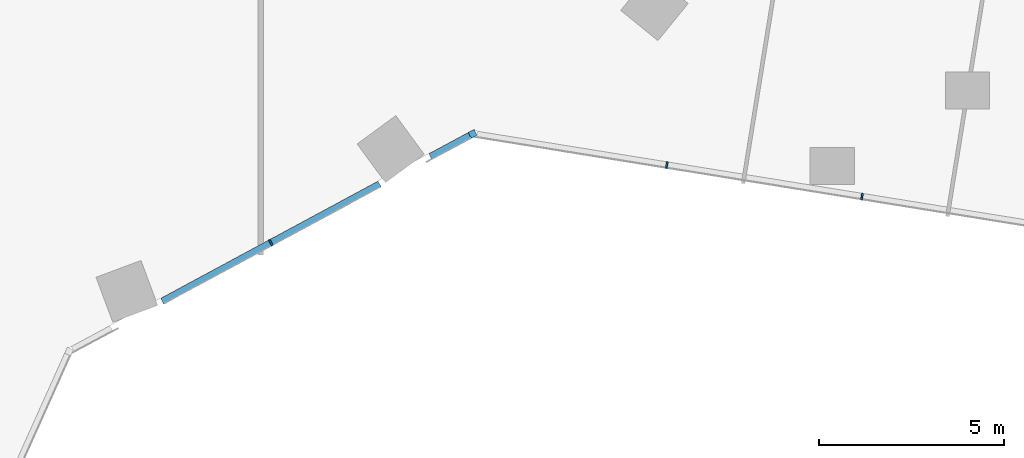
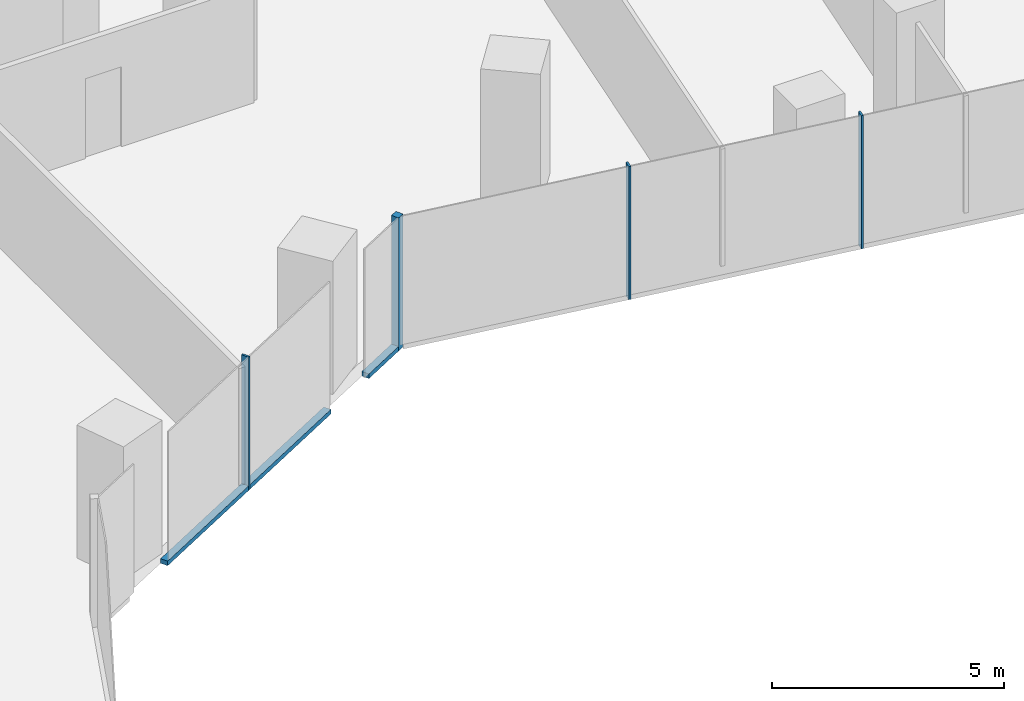
# One storey, part 8 of 34: 6 members, 2 elements without a shape of their own.
"""IFC4 building model written with IfcOpenShell, lengths in metres."""

from ifc_helpers import new_model, si_unit, direction, frame, origin, origin_2d, place, context, subcontext, project, spatial, rectangle, extrude, material, material_profile, profile_set, type_object, element, aggregate, save


model = new_model("IFC4")

# Units and contexts
model_context = context("Model", 3, precision=1e-05, world=origin(), true_north=direction((0.0, 1.0)))
body_context = subcontext(model_context, "Body", "Model", "MODEL_VIEW")
ifc_project = project(units=[si_unit("LENGTHUNIT", "METRE"), si_unit("AREAUNIT", "SQUARE_METRE"), si_unit("VOLUMEUNIT", "CUBIC_METRE"), si_unit("PLANEANGLEUNIT", "RADIAN"), si_unit("MASSUNIT", "GRAM", prefix="KILO")], contexts=[model_context])

# Site, building, storey
site_placement = place(None, origin())
site = spatial("IfcSite", under=ifc_project, at=site_placement, CompositionType="ELEMENT")
building_placement = place(site_placement, origin())
building = spatial("IfcBuilding", under=site, at=building_placement, Name="Orlundy Tower", CompositionType="ELEMENT")
storey_placement = place(building_placement, frame((0.0, 0.0, 130.699951171875)))
storey = spatial("IfcBuildingStorey", under=building, at=storey_placement, Name="L33", CompositionType="ELEMENT", Elevation=130.699951171875)

# Curtain wall, member
ifc_material_1 = material(Name="Aluminium bronze anodised", Category="aluminium")
curtain_wall_type = type_object("IfcCurtainWallType", Name="CW1 wall", PredefinedType="NOTDEFINED", material=ifc_material_1)
curtain_wall_1_placement = place(storey_placement, origin())
curtain_wall_1 = element("IfcCurtainWall", 1, at=curtain_wall_1_placement, inside=storey, type_object=curtain_wall_type, Name="CW1 run 017", PredefinedType="NOTDEFINED")
ifc_material_2 = material(Name="Aluminium bronze anodised", Category="aluminium")
ifc_material_profile_1 = material_profile(ifc_material_2, rectangle(XDim=0.179931640625, YDim=0.179931640625, at=origin_2d()), Name="CW1 corner post 180x180")
ifc_profile_set_1 = profile_set([ifc_material_profile_1], Name="Aluminium bronze anodised")
member_type_1 = type_object("IfcMemberType", Name="CW1 corner post 180x180", PredefinedType="MULLION", material=ifc_profile_set_1)
member_1_placement = place(storey_placement, frame((19.748779296875, -23.53662109375, -0.39990234375), z_axis=(0.0, 0.0, 1.0), x_axis=(0.474615553081, -0.88019320423, 0.0)))
member_1 = element("IfcMember", 2, at=member_1_placement, type_object=member_type_1, Name="CW1 mullion 49", PredefinedType="MULLION", context=body_context, shape_type="SweptSolid", body=[
    extrude(rectangle(XDim=0.179931640625, YDim=0.179931640625, at=origin_2d()), origin(), (0.0, 0.0, 1.0), 3.5),
])

# Curtain wall, members
curtain_wall_2_placement = place(storey_placement, origin())
curtain_wall_2 = element("IfcCurtainWall", 3, at=curtain_wall_2_placement, inside=storey, type_object=curtain_wall_type, Name="CW1 run 016", PredefinedType="NOTDEFINED")
ifc_material_3 = material(Name="Aluminium bronze anodised", Category="aluminium")
ifc_material_profile_2 = material_profile(ifc_material_3, rectangle(XDim=0.179931640625, YDim=0.050048828125, at=origin_2d()), Name="CW1 mullion 50x180")
ifc_profile_set_2 = profile_set([ifc_material_profile_2], Name="Aluminium bronze anodised")
member_type_2 = type_object("IfcMemberType", Name="CW1 mullion 50x180", PredefinedType="MULLION", material=ifc_profile_set_2)
member_2_placement = place(storey_placement, frame((30.29541015625, -25.23876953125, -0.39990234375), z_axis=(0.0, 0.0, 1.0), x_axis=(-0.159311085453, -0.987228432558, 0.0)))
member_2 = element("IfcMember", 4, at=member_2_placement, type_object=member_type_2, Name="CW1 mullion 47", PredefinedType="MULLION", context=body_context, shape_type="SweptSolid", body=[
    extrude(rectangle(XDim=0.179931640625, YDim=0.050048828125, at=origin_2d()), origin(), (0.0, 0.0, 1.0), 3.5),
])
member_3_placement = place(storey_placement, frame((25.007080078125, -24.38525390625, -0.39990234375), z_axis=(0.0, 0.0, 1.0), x_axis=(-0.159311085453, -0.987228432558, 0.0)))
member_3 = element("IfcMember", 5, at=member_3_placement, type_object=member_type_2, Name="CW1 mullion 48", PredefinedType="MULLION", context=body_context, shape_type="SweptSolid", body=[
    extrude(rectangle(XDim=0.179931640625, YDim=0.050048828125, at=origin_2d()), origin(), (0.0, 0.0, 1.0), 3.5),
])
aggregate(curtain_wall_2, [member_2, member_3])

# Member
member_4_placement = place(storey_placement, frame((14.28076171875, -26.485107421875, -0.39990234375), z_axis=(0.0, 0.0, 1.0), x_axis=(0.474615553081, -0.88019320423, 0.0)))
member_4 = element("IfcMember", 6, at=member_4_placement, type_object=member_type_2, Name="CW1 mullion 50", PredefinedType="MULLION", context=body_context, shape_type="SweptSolid", body=[
    extrude(rectangle(XDim=0.179931640625, YDim=0.050048828125, at=origin_2d()), origin(), (0.0, 0.0, 1.0), 3.5),
])

ifc_material_4 = material(Name="Aluminium bronze anodised", Category="aluminium")
ifc_material_profile_3 = material_profile(ifc_material_4, rectangle(XDim=0.179931640625, YDim=0.1201171875, at=origin_2d()), Name="CW1 transom 180x120")
ifc_profile_set_3 = profile_set([ifc_material_profile_3], Name="Aluminium bronze anodised")
member_type_3 = type_object("IfcMemberType", Name="CW1 transom 180x120", PredefinedType="USERDEFINED", material=ifc_profile_set_3)
member_5_placement = place(storey_placement, frame((19.669677734375, -23.579345703125, -0.33984375), z_axis=(-0.880206214276, -0.474591424649, 0.0), x_axis=(0.474591424649, -0.880206214276, 0.0)))
member_5 = element("IfcMember", 7, at=member_5_placement, type_object=member_type_3, Name="CW1 transom", ObjectType="TRANSOM", PredefinedType="USERDEFINED", context=body_context, shape_type="SweptSolid", body=[
    extrude(rectangle(XDim=0.179931640625, YDim=0.1201171875, at=origin_2d()), origin(), (0.0, 0.0, 1.0), 1.214111328125),
])

member_6_placement = place(storey_placement, frame((17.226806640625, -24.896728515625, -0.33984375), z_axis=(-0.880200432589, -0.474602147563, 0.0), x_axis=(0.474602147563, -0.880200432589, 0.0)))
member_6 = element("IfcMember", 8, at=member_6_placement, type_object=member_type_3, Name="CW1 transom", ObjectType="TRANSOM", PredefinedType="USERDEFINED", context=body_context, shape_type="SweptSolid", body=[
    extrude(rectangle(XDim=0.179931640625, YDim=0.1201171875, at=origin_2d()), origin(), (0.0, 0.0, 1.0), 6.694091796875),
])

aggregate(curtain_wall_1, [member_1, member_4, member_5, member_6])

save(model, "model.ifc")
